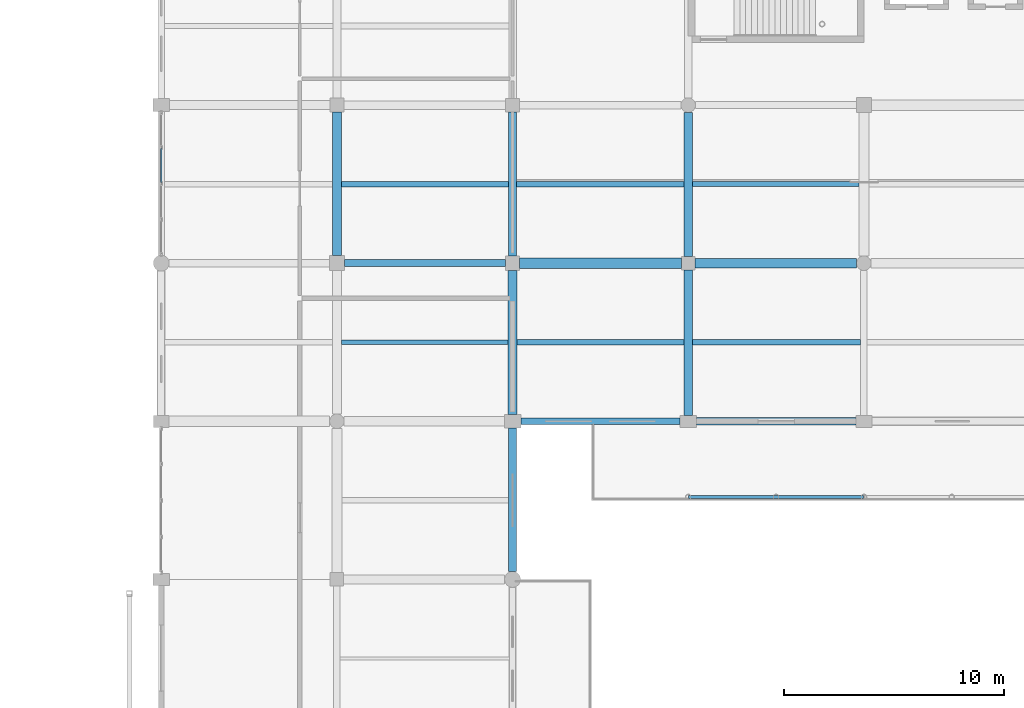
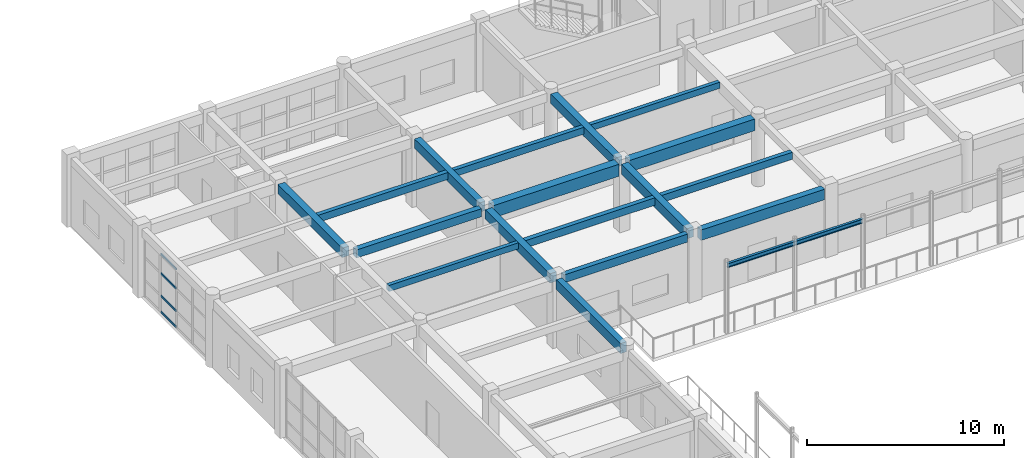
# One storey, part 74 of 160: 18 beams, 4 members, 1 element without a shape of its own.
"""IFC4 building model written with IfcOpenShell, lengths in metres."""

from ifc_helpers import new_model, si_unit, direction, frame, origin, origin_2d, place, context, subcontext, project, spatial, rectangle, hollow_rectangle, i_section, extrude, material, material_profile, profile_set, type_object, element, aggregate, save


model = new_model("IFC4")

# Units and contexts
model_context = context("Model", 3, precision=1e-05, world=origin(), true_north=direction((0.0, 1.0)))
body_context = subcontext(model_context, "Body", "Model", "MODEL_VIEW")
ifc_project = project(units=[si_unit("LENGTHUNIT", "METRE"), si_unit("AREAUNIT", "SQUARE_METRE"), si_unit("VOLUMEUNIT", "CUBIC_METRE"), si_unit("PLANEANGLEUNIT", "RADIAN"), si_unit("MASSUNIT", "GRAM", prefix="KILO")], contexts=[model_context])

# Site, building, storey
site_placement = place(None, origin())
site = spatial("IfcSite", under=ifc_project, at=site_placement, CompositionType="ELEMENT")
building_placement = place(site_placement, origin())
building = spatial("IfcBuilding", under=site, at=building_placement, Name="Kharva Crest Polytechnic", CompositionType="ELEMENT")
storey_placement = place(building_placement, frame((0.0, 0.0, 4.5)))
storey = spatial("IfcBuildingStorey", under=building, at=storey_placement, Name="L01", CompositionType="ELEMENT", Elevation=4.5)

# Beams
ifc_material_1 = material(Name="Concrete C35/45", Category="concrete")
ifc_material_profile_1 = material_profile(ifc_material_1, rectangle(XDim=0.320068359375, YDim=0.5, at=origin_2d()), Name="RECT 320 X 500")
ifc_profile_set_1 = profile_set([ifc_material_profile_1], Name="Concrete C35/45")
beam_type_1 = type_object("IfcBeamType", Name="BM-RC-320X500", PredefinedType="BEAM", material=ifc_profile_set_1)
beam_1_placement = place(storey_placement, frame((40.340087890625, 107.60009765625, 3.969970703125), z_axis=(1.0, 0.0, 0.0), x_axis=(0.0, 1.0, 0.0)))
element("IfcBeam", 1, at=beam_1_placement, inside=storey, type_object=beam_type_1, Name="L01 Beam Q/6-7", PredefinedType="BEAM", context=body_context, shape_type="SweptSolid", body=[
    extrude(rectangle(XDim=0.320068359375, YDim=0.5, at=origin_2d()), origin(), (0.0, 0.0, 1.0), 7.3349609375),
])
ifc_material_profile_2 = material_profile(ifc_material_1, rectangle(XDim=0.360107421875, YDim=0.580078125, at=origin_2d()), Name="RECT 360 X 580")
ifc_profile_set_2 = profile_set([ifc_material_profile_2], Name="Concrete C35/45")
beam_type_2 = type_object("IfcBeamType", Name="BM-RC-360X580", PredefinedType="BEAM", material=ifc_profile_set_2)
beam_2_placement = place(storey_placement, frame((48.0, 107.925048828125, 3.929931640625), z_axis=(0.0, 1.0, 0.0), x_axis=(-1.0, 0.0, 0.0)))
element("IfcBeam", 2, at=beam_2_placement, inside=storey, type_object=beam_type_2, Name="L01 Girder 7/Q-R", PredefinedType="BEAM", context=body_context, shape_type="SweptSolid", body=[
    extrude(rectangle(XDim=0.360107421875, YDim=0.580078125, at=origin_2d()), origin(), (0.0, 0.0, 1.0), 6.56494140625),
])
ifc_material_profile_3 = material_profile(ifc_material_1, rectangle(XDim=0.39990234375, YDim=0.580078125, at=origin_2d()), Name="RECT 400 X 580")
ifc_profile_set_3 = profile_set([ifc_material_profile_3], Name="Concrete C35/45")
beam_type_3 = type_object("IfcBeamType", Name="BM-RC-400X580", PredefinedType="BEAM", material=ifc_profile_set_3)
beam_3_placement = place(storey_placement, frame((40.0, 107.93994140625, 3.929931640625), z_axis=(0.0, 1.0, 0.0), x_axis=(-1.0, 0.0, 0.0)))
element("IfcBeam", 3, at=beam_3_placement, inside=storey, type_object=beam_type_3, Name="L01 Girder 6/Q-R", PredefinedType="BEAM", context=body_context, shape_type="SweptSolid", body=[
    extrude(rectangle(XDim=0.39990234375, YDim=0.580078125, at=origin_2d()), origin(), (0.0, 0.0, 1.0), 6.53515625),
])
beam_4_placement = place(storey_placement, frame((48.0, 100.699951171875, 3.929931640625), z_axis=(0.0, 1.0, 0.0), x_axis=(-1.0, 0.0, 0.0)))
element("IfcBeam", 4, at=beam_4_placement, inside=storey, type_object=beam_type_3, Name="L01 Girder 7/P-Q", PredefinedType="BEAM", context=body_context, shape_type="SweptSolid", body=[
    extrude(rectangle(XDim=0.39990234375, YDim=0.580078125, at=origin_2d()), origin(), (0.0, 0.0, 1.0), 6.574951171875),
])
beam_5_placement = place(storey_placement, frame((56.0, 107.909912109375, 3.929931640625), z_axis=(0.0, 1.0, 0.0), x_axis=(-1.0, 0.0, 0.0)))
element("IfcBeam", 5, at=beam_5_placement, inside=storey, type_object=beam_type_3, Name="L01 Girder 8/Q-R", PredefinedType="BEAM", context=body_context, shape_type="SweptSolid", body=[
    extrude(rectangle(XDim=0.39990234375, YDim=0.580078125, at=origin_2d()), origin(), (0.0, 0.0, 1.0), 6.56005859375),
])
ifc_material_profile_4 = material_profile(ifc_material_1, rectangle(XDim=0.39990234375, YDim=0.6201171875, at=origin_2d()), Name="RECT 400 X 620")
ifc_profile_set_4 = profile_set([ifc_material_profile_4], Name="Concrete C35/45")
beam_type_4 = type_object("IfcBeamType", Name="BM-RC-400X620", PredefinedType="BEAM", material=ifc_profile_set_4)
beam_6_placement = place(storey_placement, frame((56.0, 100.675048828125, 3.909912109375), z_axis=(0.0, 1.0, 0.0), x_axis=(-1.0, 0.0, 0.0)))
element("IfcBeam", 6, at=beam_6_placement, inside=storey, type_object=beam_type_4, Name="L01 Girder 8/P-Q", PredefinedType="BEAM", context=body_context, shape_type="SweptSolid", body=[
    extrude(rectangle(XDim=0.39990234375, YDim=0.6201171875, at=origin_2d()), origin(), (0.0, 0.0, 1.0), 6.614990234375),
])
ifc_material_profile_5 = material_profile(ifc_material_1, rectangle(XDim=0.449951171875, YDim=0.719970703125, at=origin_2d()), Name="RECT 450 X 720")
ifc_profile_set_5 = profile_set([ifc_material_profile_5], Name="Concrete C35/45")
beam_type_5 = type_object("IfcBeamType", Name="BM-RC-450X720", PredefinedType="BEAM", material=ifc_profile_set_5)
beam_7_placement = place(storey_placement, frame((56.31005859375, 107.60009765625, 3.860107421875), z_axis=(1.0, 0.0, 0.0), x_axis=(0.0, 1.0, 0.0)))
element("IfcBeam", 7, at=beam_7_placement, inside=storey, type_object=beam_type_5, Name="L01 Beam Q/8-9", PredefinedType="BEAM", context=body_context, shape_type="SweptSolid", body=[
    extrude(rectangle(XDim=0.449951171875, YDim=0.719970703125, at=origin_2d()), origin(), (0.0, 0.0, 1.0), 7.35986328125),
])
ifc_material_profile_6 = material_profile(ifc_material_1, rectangle(XDim=0.47998046875, YDim=0.75, at=origin_2d()), Name="RECT 480 X 750")
ifc_profile_set_6 = profile_set([ifc_material_profile_6], Name="Concrete C35/45")
beam_type_6 = type_object("IfcBeamType", Name="BM-RC-480X750", PredefinedType="BEAM", material=ifc_profile_set_6)
beam_8_placement = place(storey_placement, frame((48.324951171875, 107.60009765625, 3.844970703125), z_axis=(1.0, 0.0, 0.0), x_axis=(0.0, 1.0, 0.0)))
element("IfcBeam", 8, at=beam_8_placement, inside=storey, type_object=beam_type_6, Name="L01 Beam Q/7-8", PredefinedType="BEAM", context=body_context, shape_type="SweptSolid", body=[
    extrude(rectangle(XDim=0.47998046875, YDim=0.75, at=origin_2d()), origin(), (0.0, 0.0, 1.0), 7.364990234375),
])
ifc_material_2 = material(Name="Steel S355", Category="steel")
ifc_material_profile_7 = material_profile(ifc_material_2, i_section(OverallWidth=0.14794921875, OverallDepth=0.26611328125, WebThickness=0.007568359375, FlangeThickness=0.012939453125, at=origin_2d()), Name="W250X44.8")
ifc_profile_set_7 = profile_set([ifc_material_profile_7], Name="Steel S355")
beam_type_7 = type_object("IfcBeamType", Name="BM-STL-W250X44", PredefinedType="SPANDREL", material=ifc_profile_set_7)
beam_9_placement = place(storey_placement, frame((56.02001953125, 96.949951171875, 4.156982421875), z_axis=(1.0, 0.0, 0.0), x_axis=(0.0, 1.0, 0.0)))
element("IfcBeam", 9, at=beam_9_placement, inside=storey, type_object=beam_type_7, Name="L01 North Veranda Beam 1", PredefinedType="SPANDREL", context=body_context, shape_type="SweptSolid", body=[
    extrude(i_section(OverallWidth=0.14794921875, OverallDepth=0.26611328125, WebThickness=0.007568359375, FlangeThickness=0.012939453125, at=origin_2d()), origin(), (0.0, 0.0, 1.0), 7.9599609375),
])

# Curtain wall, members
ifc_material_3 = material(Name="Tempered insulated glass", Category="glass")
curtain_wall_type = type_object("IfcCurtainWallType", Name="CW-SYS-COURT", PredefinedType="USERDEFINED", material=ifc_material_3)
curtain_wall_placement = place(storey_placement, origin())
curtain_wall = element("IfcCurtainWall", 10, at=curtain_wall_placement, inside=storey, type_object=curtain_wall_type, Name="L01 Glazed Curtain Wall CW-078", ObjectType="CURTAIN WALL", PredefinedType="USERDEFINED")
ifc_material_profile_8 = material_profile(ifc_material_2, hollow_rectangle(XDim=0.06005859375, YDim=0.1201171875, WallThickness=0.00390625, at=origin_2d()), Name="RHS 120X60X4.0")
ifc_profile_set_8 = profile_set([ifc_material_profile_8], Name="Steel S355")
member_type = type_object("IfcMemberType", Name="CWT-RHS120X60", PredefinedType="USERDEFINED", material=ifc_profile_set_8)
member_1_placement = place(storey_placement, frame((32.0, 112.822509765625, 0.06005859375), z_axis=(0.0, -1.0, 0.0), x_axis=(1.0, 0.0, 0.0)))
member_1 = element("IfcMember", 11, at=member_1_placement, type_object=member_type, Name="CW-078 transom 2.1", ObjectType="TRANSOM", PredefinedType="USERDEFINED", context=body_context, shape_type="SweptSolid", body=[
    extrude(hollow_rectangle(XDim=0.06005859375, YDim=0.1201171875, WallThickness=0.00390625, at=origin_2d()), origin(), (0.0, 0.0, 1.0), 1.552490234375),
])
member_2_placement = place(storey_placement, frame((32.0, 112.822509765625, 1.050048828125), z_axis=(0.0, -1.0, 0.0), x_axis=(1.0, 0.0, 0.0)))
member_2 = element("IfcMember", 12, at=member_2_placement, type_object=member_type, Name="CW-078 transom 2.2", ObjectType="TRANSOM", PredefinedType="USERDEFINED", context=body_context, shape_type="SweptSolid", body=[
    extrude(hollow_rectangle(XDim=0.06005859375, YDim=0.1201171875, WallThickness=0.00390625, at=origin_2d()), origin(), (0.0, 0.0, 1.0), 1.552490234375),
])
member_3_placement = place(storey_placement, frame((32.0, 112.822509765625, 2.449951171875), z_axis=(0.0, -1.0, 0.0), x_axis=(1.0, 0.0, 0.0)))
member_3 = element("IfcMember", 13, at=member_3_placement, type_object=member_type, Name="CW-078 transom 2.3", ObjectType="TRANSOM", PredefinedType="USERDEFINED", context=body_context, shape_type="SweptSolid", body=[
    extrude(hollow_rectangle(XDim=0.06005859375, YDim=0.1201171875, WallThickness=0.00390625, at=origin_2d()), origin(), (0.0, 0.0, 1.0), 1.552490234375),
])
member_4_placement = place(storey_placement, frame((32.0, 112.822509765625, 3.639892578125), z_axis=(0.0, -1.0, 0.0), x_axis=(1.0, 0.0, 0.0)))
member_4 = element("IfcMember", 14, at=member_4_placement, type_object=member_type, Name="CW-078 transom 2.4", ObjectType="TRANSOM", PredefinedType="USERDEFINED", context=body_context, shape_type="SweptSolid", body=[
    extrude(hollow_rectangle(XDim=0.06005859375, YDim=0.1201171875, WallThickness=0.00390625, at=origin_2d()), origin(), (0.0, 0.0, 1.0), 1.552490234375),
])
aggregate(curtain_wall, [member_1, member_2, member_3, member_4])

# Beams
ifc_material_profile_9 = material_profile(ifc_material_1, rectangle(XDim=0.219970703125, YDim=0.3798828125, at=origin_2d()), Name="RECT 220 X 380")
ifc_profile_set_9 = profile_set([ifc_material_profile_9], Name="Concrete C35/45")
beam_type_8 = type_object("IfcBeamType", Name="JS-RC-220X380", PredefinedType="JOIST", material=ifc_profile_set_9)
beam_10_placement = place(storey_placement, frame((40.199951171875, 104.0, 4.030029296875), z_axis=(1.0, 0.0, 0.0), x_axis=(0.0, 1.0, 0.0)))
element("IfcBeam", 15, at=beam_10_placement, inside=storey, type_object=beam_type_8, Name="L01 Floor Joist 9", PredefinedType="JOIST", context=body_context, shape_type="SweptSolid", body=[
    extrude(rectangle(XDim=0.219970703125, YDim=0.3798828125, at=origin_2d()), origin(), (0.0, 0.0, 1.0), 7.60009765625),
])
beam_11_placement = place(storey_placement, frame((56.199951171875, 111.199951171875, 4.030029296875), z_axis=(1.0, 0.0, 0.0), x_axis=(0.0, 1.0, 0.0)))
element("IfcBeam", 16, at=beam_11_placement, inside=storey, type_object=beam_type_8, Name="L01 Floor Joist 29", PredefinedType="JOIST", context=body_context, shape_type="SweptSolid", body=[
    extrude(rectangle(XDim=0.219970703125, YDim=0.3798828125, at=origin_2d()), origin(), (0.0, 0.0, 1.0), 7.574951171875),
])
ifc_material_profile_10 = material_profile(ifc_material_1, rectangle(XDim=0.239990234375, YDim=0.419921875, at=origin_2d()), Name="RECT 240 X 420")
ifc_profile_set_10 = profile_set([ifc_material_profile_10], Name="Concrete C35/45")
beam_type_9 = type_object("IfcBeamType", Name="JS-RC-240X420", PredefinedType="JOIST", material=ifc_profile_set_10)
beam_12_placement = place(storey_placement, frame((48.179931640625, 111.199951171875, 4.010009765625), z_axis=(1.0, 0.0, 0.0), x_axis=(0.0, 1.0, 0.0)))
element("IfcBeam", 17, at=beam_12_placement, inside=storey, type_object=beam_type_9, Name="L01 Floor Joist 28", PredefinedType="JOIST", context=body_context, shape_type="SweptSolid", body=[
    extrude(rectangle(XDim=0.239990234375, YDim=0.419921875, at=origin_2d()), origin(), (0.0, 0.0, 1.0), 7.6201171875),
])
ifc_material_profile_11 = material_profile(ifc_material_1, rectangle(XDim=0.25, YDim=0.43994140625, at=origin_2d()), Name="RECT 250 X 440")
ifc_profile_set_11 = profile_set([ifc_material_profile_11], Name="Concrete C35/45")
beam_type_10 = type_object("IfcBeamType", Name="JS-RC-250X440", PredefinedType="JOIST", material=ifc_profile_set_11)
beam_13_placement = place(storey_placement, frame((56.199951171875, 104.0, 4.0), z_axis=(1.0, 0.0, 0.0), x_axis=(0.0, 1.0, 0.0)))
element("IfcBeam", 18, at=beam_13_placement, inside=storey, type_object=beam_type_10, Name="L01 Floor Joist 11", PredefinedType="JOIST", context=body_context, shape_type="SweptSolid", body=[
    extrude(rectangle(XDim=0.25, YDim=0.43994140625, at=origin_2d()), origin(), (0.0, 0.0, 1.0), 7.650146484375),
])
beam_14_placement = place(storey_placement, frame((40.199951171875, 111.199951171875, 4.0), z_axis=(1.0, 0.0, 0.0), x_axis=(0.0, 1.0, 0.0)))
element("IfcBeam", 19, at=beam_14_placement, inside=storey, type_object=beam_type_10, Name="L01 Floor Joist 27", PredefinedType="JOIST", context=body_context, shape_type="SweptSolid", body=[
    extrude(rectangle(XDim=0.25, YDim=0.43994140625, at=origin_2d()), origin(), (0.0, 0.0, 1.0), 7.6201171875),
])
ifc_material_profile_12 = material_profile(ifc_material_1, rectangle(XDim=0.260009765625, YDim=0.4599609375, at=origin_2d()), Name="RECT 260 X 460")
ifc_profile_set_12 = profile_set([ifc_material_profile_12], Name="Concrete C35/45")
beam_type_11 = type_object("IfcBeamType", Name="JS-RC-260X460", PredefinedType="JOIST", material=ifc_profile_set_12)
beam_15_placement = place(storey_placement, frame((48.199951171875, 104.0, 3.989990234375), z_axis=(1.0, 0.0, 0.0), x_axis=(0.0, 1.0, 0.0)))
element("IfcBeam", 20, at=beam_15_placement, inside=storey, type_object=beam_type_11, Name="L01 Floor Joist 10", PredefinedType="JOIST", context=body_context, shape_type="SweptSolid", body=[
    extrude(rectangle(XDim=0.260009765625, YDim=0.4599609375, at=origin_2d()), origin(), (0.0, 0.0, 1.0), 7.60009765625),
])
ifc_material_profile_13 = material_profile(ifc_material_1, rectangle(XDim=0.280029296875, YDim=0.5, at=origin_2d()), Name="RECT 280 X 500")
ifc_profile_set_13 = profile_set([ifc_material_profile_13], Name="Concrete C35/45")
beam_type_12 = type_object("IfcBeamType", Name="SP-RC-280X500", PredefinedType="SPANDREL", material=ifc_profile_set_13)
beam_16_placement = place(storey_placement, frame((48.375, 100.39990234375, 3.969970703125), z_axis=(1.0, 0.0, 0.0), x_axis=(0.0, 1.0, 0.0)))
element("IfcBeam", 21, at=beam_16_placement, inside=storey, type_object=beam_type_12, Name="L01 Beam P/7-8", PredefinedType="SPANDREL", context=body_context, shape_type="SweptSolid", body=[
    extrude(rectangle(XDim=0.280029296875, YDim=0.5, at=origin_2d()), origin(), (0.0, 0.0, 1.0), 7.25),
])
ifc_material_profile_14 = material_profile(ifc_material_1, rectangle(XDim=0.35009765625, YDim=0.6201171875, at=origin_2d()), Name="RECT 350 X 620")
ifc_profile_set_14 = profile_set([ifc_material_profile_14], Name="Concrete C35/45")
beam_type_13 = type_object("IfcBeamType", Name="SP-RC-350X620", PredefinedType="SPANDREL", material=ifc_profile_set_14)
beam_17_placement = place(storey_placement, frame((48.0, 93.56005859375, 3.909912109375), z_axis=(0.0, 1.0, 0.0), x_axis=(-1.0, 0.0, 0.0)))
element("IfcBeam", 22, at=beam_17_placement, inside=storey, type_object=beam_type_13, Name="L01 Girder 7/N-P", PredefinedType="SPANDREL", context=body_context, shape_type="SweptSolid", body=[
    extrude(rectangle(XDim=0.35009765625, YDim=0.6201171875, at=origin_2d()), origin(), (0.0, 0.0, 1.0), 6.5400390625),
])
ifc_material_profile_15 = material_profile(ifc_material_1, rectangle(XDim=0.360107421875, YDim=0.64990234375, at=origin_2d()), Name="RECT 360 X 650")
ifc_profile_set_15 = profile_set([ifc_material_profile_15], Name="Concrete C35/45")
beam_type_14 = type_object("IfcBeamType", Name="SP-RC-360X650", PredefinedType="SPANDREL", material=ifc_profile_set_15)
beam_18_placement = place(storey_placement, frame((56.375, 100.39990234375, 3.89501953125), z_axis=(1.0, 0.0, 0.0), x_axis=(0.0, 1.0, 0.0)))
element("IfcBeam", 23, at=beam_18_placement, inside=storey, type_object=beam_type_14, Name="L01 Beam P/8-9", PredefinedType="SPANDREL", context=body_context, shape_type="SweptSolid", body=[
    extrude(rectangle(XDim=0.360107421875, YDim=0.64990234375, at=origin_2d()), origin(), (0.0, 0.0, 1.0), 7.264892578125),
])

save(model, "model.ifc")
